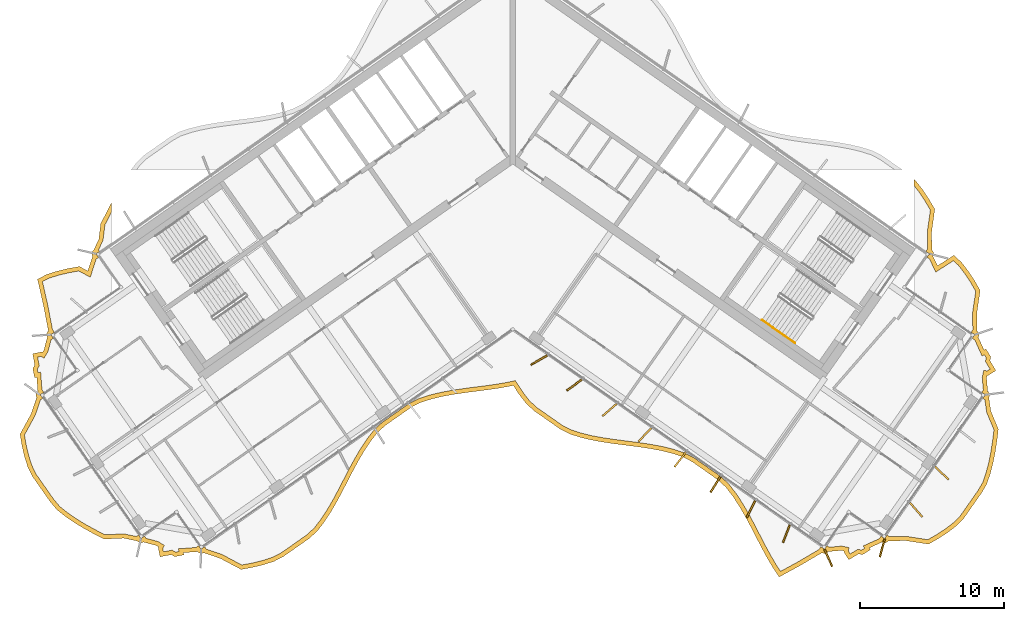
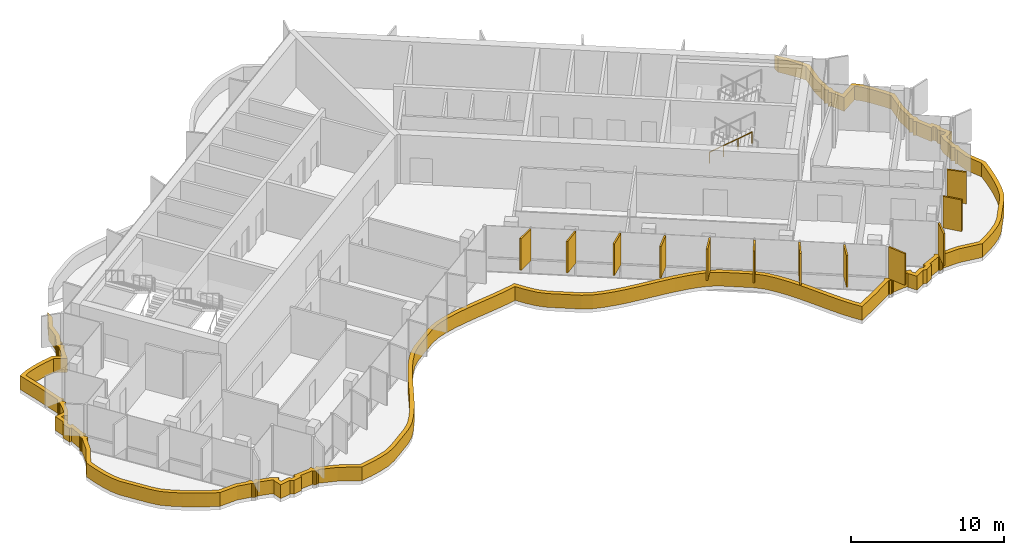
# One storey, part 18 of 20: 13 shading devices, 1 railing.
"""IFC4 building model written with IfcOpenShell, lengths in metres."""

import ifcopenshell
import ifcopenshell.guid

model = None  # the IFC model being written
_history = None  # IfcOwnerHistory: only IFC2X3 demands one
_inside = {}  # id of a spatial element -> (the spatial element, [elements in it])
_under = {}  # id of a project, library or spatial element -> (it, [spatial elements below it])
_declared = {}  # id of a project -> (the project, [libraries it declares])
_typed = {}  # id of a type object -> (the type object, [elements of that type])
_made_of = {}  # id of a material, layer set ... -> (it, [elements and type objects made of it])


def new_model(schema):
    """Start an empty IFC model of exactly this schema.

    Asked for "IFC4X3", IfcOpenShell would pick the latest addendum, in which some entities
    have other attributes; the version numbers below select the first issue.
    IFC2X3 requires an IfcOwnerHistory on every rooted entity: one is made here for all.
    """
    global model, _history
    if schema == "IFC4X3":
        model = ifcopenshell.file(schema_version=(4, 3, 0, 0))
    else:
        model = ifcopenshell.file(schema=schema)
    _inside.clear()
    _under.clear()
    _declared.clear()
    _typed.clear()
    _made_of.clear()
    _history = None
    if model.schema == "IFC2X3":
        org = make("IfcOrganization", Name="unknown")
        user = make(
            "IfcPersonAndOrganization",
            ThePerson=make("IfcPerson", FamilyName="unknown"),
            TheOrganization=org,
        )
        app = make(
            "IfcApplication",
            ApplicationDeveloper=org,
            Version="unknown",
            ApplicationFullName="unknown",
            ApplicationIdentifier="unknown",
        )
        _history = make(
            "IfcOwnerHistory",
            OwningUser=user,
            OwningApplication=app,
            ChangeAction="ADDED",
            CreationDate=0,
        )
    return model


def make(cls, **values):
    """One entity of the class cls with the attributes given. An attribute that is None is left unset."""
    return model.create_entity(
        cls, **{name: value for name, value in values.items() if value is not None}
    )


def rooted(cls, **values):
    """An entity with a GlobalId (a new one), such as an element, a storey or a relation."""
    return make(cls, GlobalId=ifcopenshell.guid.new(), OwnerHistory=_history, **values)


def si_unit(unit_type, name, prefix=None):
    """IfcSIUnit, for example si_unit("LENGTHUNIT", "METRE", prefix="MILLI")."""
    return make("IfcSIUnit", UnitType=unit_type, Prefix=prefix, Name=name)


def assignment(units):
    """IfcUnitAssignment: the units of a project."""
    return None if units is None else make("IfcUnitAssignment", Units=units)


def point(xyz):
    """IfcCartesianPoint."""
    return None if xyz is None else make("IfcCartesianPoint", Coordinates=xyz)


def direction(xyz):
    """IfcDirection."""
    return None if xyz is None else make("IfcDirection", DirectionRatios=xyz)


def frame(location, z_axis=None, x_axis=None):
    """IfcAxis2Placement3D, a coordinate frame: its origin and axes. An axis left out is left unset."""
    return make(
        "IfcAxis2Placement3D",
        Location=point(location),
        Axis=direction(z_axis),
        RefDirection=direction(x_axis),
    )


def frame_2d(location, x_axis=None):
    """IfcAxis2Placement2D, a coordinate frame in the plane: its origin and x axis."""
    return make(
        "IfcAxis2Placement2D", Location=point(location), RefDirection=direction(x_axis)
    )


def origin():
    """The frame at (0, 0, 0) with its axes left unset."""
    return frame((0.0, 0.0, 0.0))


def origin_2d():
    """The frame at (0, 0) in the plane with its x axis left unset."""
    return frame_2d((0.0, 0.0))


def place(relative_to, where):
    """IfcLocalPlacement: puts the frame where relative to a parent placement (None: the world)."""
    return make(
        "IfcLocalPlacement", PlacementRelTo=relative_to, RelativePlacement=where
    )


def context(
    kind, dimensions, precision=None, world=None, true_north=None, identifier=None
):
    """IfcGeometricRepresentationContext, for example the 3D "Model" context."""
    return make(
        "IfcGeometricRepresentationContext",
        ContextIdentifier=identifier,
        ContextType=kind,
        CoordinateSpaceDimension=dimensions,
        Precision=precision,
        WorldCoordinateSystem=world,
        TrueNorth=true_north,
    )


def subcontext(parent, identifier, kind, view, scale=None):
    """IfcGeometricRepresentationSubContext, for example "Body" below "Model"."""
    return make(
        "IfcGeometricRepresentationSubContext",
        ContextIdentifier=identifier,
        ContextType=kind,
        ParentContext=parent,
        TargetScale=scale,
        TargetView=view,
    )


def project(units=None, contexts=None):
    """IfcProject with its units and contexts."""
    return rooted(
        "IfcProject",
        Name="project",
        RepresentationContexts=contexts,
        UnitsInContext=assignment(units),
    )


def spatial(cls, under=None, at=None, **own):
    """A site, building, storey or space (cls), placed at a placement, below another one or the project."""
    s = rooted(cls, ObjectPlacement=at, **own)
    if under is not None:
        _under.setdefault(under.id(), (under, []))[1].append(s)
    return s


def polyline(points):
    """IfcPolyline through the points."""
    return make("IfcPolyline", Points=[point(p) for p in points])


def profile(cls, at=None, kind="AREA", **sizes):
    """A parametric profile (cls). Its sizes go by their IFC names, for example OverallWidth=200.0."""
    return make(cls, ProfileType=kind, Position=at, **sizes)


def rectangle(**sizes):
    """IfcRectangleProfileDef."""
    return profile("IfcRectangleProfileDef", **sizes)


def circle(**sizes):
    """IfcCircleProfileDef."""
    return profile("IfcCircleProfileDef", **sizes)


def outline(outer, holes=None, kind="AREA"):
    """IfcArbitraryClosedProfileDef: a profile drawn as a closed curve; with holes, ...WithVoids."""
    if holes is None:
        return make("IfcArbitraryClosedProfileDef", ProfileType=kind, OuterCurve=outer)
    return make(
        "IfcArbitraryProfileDefWithVoids",
        ProfileType=kind,
        OuterCurve=outer,
        InnerCurves=holes,
    )


def extrude(swept, where, along, depth):
    """IfcExtrudedAreaSolid: the profile swept, set in the frame where, extruded along a direction by depth."""
    return make(
        "IfcExtrudedAreaSolid",
        SweptArea=swept,
        Position=where,
        ExtrudedDirection=direction(along),
        Depth=depth,
    )


def shape(context_of_items, identifier, shape_type, items):
    """IfcShapeRepresentation: the items that make up one representation, for example the "Body"."""
    return make(
        "IfcShapeRepresentation",
        ContextOfItems=context_of_items,
        RepresentationIdentifier=identifier,
        RepresentationType=shape_type,
        Items=items,
    )


def material(Name=None, Category=None):
    """IfcMaterial."""
    return make("IfcMaterial", Name=Name, Category=Category)


def layer(
    of_material, thickness, ventilated=None, Name=None, Category=None, Priority=None
):
    """IfcMaterialLayer: one layer of a wall or slab, of a material (None: an air gap)."""
    return make(
        "IfcMaterialLayer",
        Material=of_material,
        LayerThickness=thickness,
        IsVentilated=ventilated,
        Name=Name,
        Category=Category,
        Priority=Priority,
    )


def layer_set(layers, Name=None):
    """IfcMaterialLayerSet."""
    return make("IfcMaterialLayerSet", MaterialLayers=layers, LayerSetName=Name)


def made_of(thing, what):
    """Note that an element or type object is made of a material, layer set ...; save() writes the relation."""
    if what is not None:
        _made_of.setdefault(what.id(), (what, []))[1].append(thing)
    return thing


def type_object(cls, material=None, **own):
    """A type object (cls), such as IfcWallType, which elements share."""
    return made_of(rooted(cls, **own), material)


def element(
    cls,
    number,
    at=None,
    inside=None,
    cuts=None,
    type_object=None,
    material=None,
    context=None,
    identifier="Body",
    shape_type=None,
    held_by="IfcProductDefinitionShape",
    body=None,
    shapes=None,
    **own,
):
    """One element of the class cls, such as IfcWall. Its Tag is "e" and its number.

    at: its placement. inside: the storey or other place that contains it. cuts: it is an
    opening in that element (IfcRelVoidsElement). A single representation is given by context,
    identifier, shape_type and body (its items); several are given by shapes. held_by: the class
    of the entity that holds the representations. save() writes the other relations.
    """
    e = rooted(cls, Tag="e%d" % number, ObjectPlacement=at, **own)
    if body is not None:
        shapes = [shape(context, identifier, shape_type, body)]
    if shapes is not None:
        e.Representation = make(held_by, Representations=shapes)
    if inside is not None:
        _inside.setdefault(inside.id(), (inside, []))[1].append(e)
    if cuts is not None:
        rooted(
            "IfcRelVoidsElement", RelatingBuildingElement=cuts, RelatedOpeningElement=e
        )
    if type_object is not None:
        _typed.setdefault(type_object.id(), (type_object, []))[1].append(e)
    return made_of(e, material)


def aggregate(whole, parts):
    """IfcRelAggregates: a whole, such as a stair, and the parts it consists of."""
    return rooted("IfcRelAggregates", RelatingObject=whole, RelatedObjects=parts)


def save(model, path):
    """Write the relations noted so far, then the file.

    IfcRelAggregates (storeys below a building ...), IfcRelContainedInSpatialStructure (elements
    in a storey), IfcRelDefinesByType, IfcRelAssociatesMaterial and IfcRelDeclares: one each for
    every whole, place, type object, material and project.
    """
    for whole, parts in _under.values():
        aggregate(whole, parts)
    for where, things in _inside.values():
        rooted(
            "IfcRelContainedInSpatialStructure",
            RelatedElements=things,
            RelatingStructure=where,
        )
    for kind, things in _typed.values():
        rooted("IfcRelDefinesByType", RelatedObjects=things, RelatingType=kind)
    for what, things in _made_of.values():
        rooted("IfcRelAssociatesMaterial", RelatedObjects=things, RelatingMaterial=what)
    for by, libraries in _declared.values():
        rooted("IfcRelDeclares", RelatingContext=by, RelatedDefinitions=libraries)
    model.write(path)


model = new_model("IFC4")

# Units and contexts
model_context = context("Model", 3, precision=1e-05, world=origin(), true_north=direction((0.0, 1.0)))
body_context = subcontext(model_context, "Body", "Model", "MODEL_VIEW")
ifc_project = project(units=[si_unit("LENGTHUNIT", "METRE"), si_unit("AREAUNIT", "SQUARE_METRE"), si_unit("VOLUMEUNIT", "CUBIC_METRE"), si_unit("PLANEANGLEUNIT", "RADIAN"), si_unit("MASSUNIT", "GRAM", prefix="KILO")], contexts=[model_context])

# Site, building, storey
site_placement = place(None, origin())
site = spatial("IfcSite", under=ifc_project, at=site_placement, CompositionType="ELEMENT")
building_placement = place(site_placement, origin())
building = spatial("IfcBuilding", under=site, at=building_placement, Name="Tel Ilan Convention Tower", CompositionType="ELEMENT")
storey_placement = place(building_placement, frame((0.0, 0.0, 237.10009765625)))
storey = spatial("IfcBuildingStorey", under=building, at=storey_placement, Name="L55", CompositionType="ELEMENT", Elevation=237.10009765625)

# Shading devices
ifc_material_1 = material(Name="Aluminium, bronze anodised", Category="aluminium")
ifc_layer_1 = layer(ifc_material_1, 0.1201171875)
ifc_layer_set_1 = layer_set([ifc_layer_1], Name="FIN BRONZE 1300x120")
shading_device_type_1 = type_object("IfcShadingDeviceType", Name="FIN BRONZE 1300x120", PredefinedType="USERDEFINED", material=ifc_layer_set_1)
for number, where, z_axis, x_axis, name in (
    (1, (1.830078125, -14.84912109375, 1.099853515625), (0.0, 0.0, 1.0), (-0.866025403784, -0.5, 0.0), "FIN"),
    (2, (4.2744140625, -16.583251953125, 1.099853515625), (0.0, 0.0, 1.0), (-0.813552070258, -0.581492071294, 0.0), "FIN"),
    (3, (6.723876953125, -18.3134765625, 1.099853515625), (0.0, 0.0, 1.0), (-0.753435896329, -0.657521368568, 0.0), "FIN"),
    (4, (9.177978515625, -20.039794921875, 1.099853515625), (0.0, 0.0, 1.0), (-0.686241637865, -0.727373641577, 0.0), "FIN"),
    (5, (11.636474609375, -21.761474609375, 1.099853515625), (0.0, 0.0, 1.0), (-0.612600545196, -0.790392669516, 0.0), "FIN"),
    (6, (14.09521484375, -23.483154296875, 1.099853515625), (0.0, 0.0, 1.0), (-0.533204432798, -0.845986425922, 0.0), "FIN"),
    (7, (16.553955078125, -25.20458984375, 1.099853515625), (0.0, 0.0, 1.0), (-0.448799180206, -0.893632640321, 0.0), "FIN"),
    (8, (19.015380859375, -26.920166015625, 1.099853515625), (0.0, 0.0, 1.0), (-0.360177724803, -0.932883704733, 0.0), "FIN"),
    (9, (21.930419921875, -28.595947265625, 1.099853515625), (0.0, 0.0, 1.0), (0.404964282034, -0.914332505315, 0.0), "FIN"),
    (10, (25.678955078125, -27.903564453125, 1.099853515625), (0.0, 0.0, 1.0), (-0.258819045103, -0.965925826289, 0.0), "FIN"),
    (11, (28.03125, -25.25048828125, 1.099853515625), (0.0, 0.0, 1.0), (0.657521368568, -0.753435896329, 0.0), "FIN"),
    (12, (29.8212890625, -22.705078125, 1.099853515625), (0.0, 0.0, 1.0), (0.727373641577, -0.686241637865, 0.0), "FIN"),
):
    element("IfcShadingDevice", number, at=place(storey_placement, frame(where, z_axis=z_axis, x_axis=x_axis)), inside=storey, type_object=shading_device_type_1, Name=name, ObjectType="FIN", PredefinedType="USERDEFINED", context=body_context, shape_type="SweptSolid", body=[
        extrude(rectangle(XDim=1.300048828125, YDim=0.1201171875, at=origin_2d()), origin(), (0.0, 0.0, 1.0), 2.52001953125),
    ])
ifc_material_2 = material(Name="Aluminium, bronze anodised", Category="aluminium")
ifc_layer_2 = layer(ifc_material_2, 0.300048828125)
ifc_layer_set_2 = layer_set([ifc_layer_2], Name="LOUVRE BAND 300x1100")
shading_device_type_2 = type_object("IfcShadingDeviceType", Name="LOUVRE BAND 300x1100", PredefinedType="USERDEFINED", material=ifc_layer_set_2)
shading_device_placement = place(storey_placement, origin())
element("IfcShadingDevice", 13, at=shading_device_placement, inside=storey, type_object=shading_device_type_2, Name="LOUVRE BAND 42.01", ObjectType="LOUVRE", PredefinedType="USERDEFINED", context=body_context, shape_type="SweptSolid", body=[
    extrude(outline(polyline([(-33.47021484375, -18.574462890625), (-34.248779296875, -19.995849609375), (-34.1181640625, -20.780517578125), (-33.940185546875, -21.531982421875), (-33.7158203125, -22.2509765625), (-33.401611328125, -22.906982421875), (-32.166748046875, -24.670654296875), (-31.707763671875, -25.22509765625), (-31.125732421875, -25.69384765625), (-30.49462890625, -26.1279296875), (-29.82373046875, -26.5341796875), (-29.12353515625, -26.920166015625), (-28.398193359375, -27.288330078125), (-27.05419921875, -27.223388671875), (-26.083984375, -27.420166015625), (-26.05517578125, -27.46337890625), (-25.957763671875, -27.5283203125), (-25.843017578125, -27.55126953125), (-25.728271484375, -27.5283203125), (-25.674072265625, -27.492431640625), (-24.7724609375, -27.73388671875), (-24.61669921875, -27.828857421875), (-24.64697265625, -27.878662109375), (-24.51416015625, -28.518310546875), (-23.728759765625, -28.3701171875), (-23.49462890625, -28.5126953125), (-22.855224609375, -28.3798828125), (-22.8828125, -28.233154296875), (-21.90576171875, -28.15673828125), (-21.876953125, -28.2001953125), (-21.779541015625, -28.26513671875), (-21.664794921875, -28.2880859375), (-21.550048828125, -28.26513671875), (-21.49609375, -28.22900390625), (-20.311279296875, -28.64013671875), (-18.883544921875, -29.3984375), (-18.087646484375, -29.25439453125), (-17.32080078125, -29.068359375), (-16.588623046875, -28.833251953125), (-15.931640625, -28.490478515625), (-14.12646484375, -27.226318359375), (-13.582763671875, -26.721923828125), (-13.1123046875, -26.113037109375), (-12.67626953125, -25.454833984375), (-12.267333984375, -24.7578125), (-11.877197265625, -24.033935546875), (-11.11572265625, -22.56005859375), (-10.724853515625, -21.83740234375), (-10.314697265625, -21.142333984375), (-9.877197265625, -20.486572265625), (-9.404541015625, -19.88037109375), (-8.85498046875, -19.384765625), (-7.049560546875, -18.12060546875), (-6.386474609375, -17.78662109375), (-5.65234375, -17.55419921875), (-4.884033203125, -17.370849609375), (-4.088623046875, -17.225830078125), (-3.274658203125, -17.107421875), (-1.629150390625, -16.895751953125), (-0.816650390625, -16.775146484375), (0.033203125, -16.6123046875), (0.470458984375, -17.269775390625), (0.94189453125, -17.877197265625), (1.488525390625, -18.377197265625), (3.2939453125, -19.641357421875), (3.953857421875, -19.979736328125), (4.68701171875, -20.213623046875), (5.45458984375, -20.398193359375), (6.24951171875, -20.5439453125), (7.06298828125, -20.6630859375), (8.70849609375, -20.87451171875), (9.521240234375, -20.99462890625), (10.314697265625, -21.142333984375), (11.080810546875, -21.329345703125), (11.811767578125, -21.56591796875), (12.4658203125, -21.912841796875), (14.27099609375, -23.177001953125), (14.811767578125, -23.685791015625), (15.28125, -24.29638671875), (15.71630859375, -24.95556640625), (16.12451171875, -25.653564453125), (16.51416015625, -26.3779296875), (17.27587890625, -27.851806640625), (17.6669921875, -28.573974609375), (18.077880859375, -29.26806640625), (18.5185546875, -29.91943359375), (19.969482421875, -29.128173828125), (21.49609375, -28.22900390625), (21.550048828125, -28.26513671875), (21.664794921875, -28.2880859375), (21.779541015625, -28.26513671875), (21.876953125, -28.2001953125), (21.90576171875, -28.15673828125), (22.8359375, -28.075439453125), (23.0146484375, -28.111328125), (23.003173828125, -28.168701171875), (23.3466796875, -28.72412109375), (24.0341796875, -28.316162109375), (24.302734375, -28.370361328125), (24.8583984375, -28.02685546875), (24.7822265625, -27.8984375), (25.674072265625, -27.492431640625), (25.728271484375, -27.5283203125), (25.843017578125, -27.55126953125), (25.957763671875, -27.5283203125), (26.05517578125, -27.46337890625), (26.083984375, -27.420166015625), (27.2958984375, -27.392578125), (28.897705078125, -27.637939453125), (29.59033203125, -27.246826171875), (30.235595703125, -26.82275390625), (30.83447265625, -26.365966796875), (31.343505859375, -25.846435546875), (32.578369140625, -24.082763671875), (32.942626953125, -23.461669921875), (33.183837890625, -22.75439453125), (33.376220703125, -22.012939453125), (33.5283203125, -21.243408203125), (33.6513671875, -20.45361328125), (33.749267578125, -19.64599609375), (33.228759765625, -18.405517578125), (33.081787109375, -17.426513671875), (33.11767578125, -17.372314453125), (33.140625, -17.257568359375), (33.11767578125, -17.142822265625), (33.052734375, -17.04541015625), (33.009521484375, -17.0166015625), (32.92822265625, -16.086669921875), (32.964111328125, -15.90771484375), (33.021240234375, -15.919189453125), (33.57666015625, -15.57568359375), (33.1689453125, -14.88818359375), (33.222900390625, -14.61962890625), (32.87939453125, -14.06396484375), (32.7509765625, -14.14013671875), (32.344970703125, -13.248291015625), (32.381103515625, -13.1943359375), (32.40380859375, -13.079345703125), (32.381103515625, -12.964599609375), (32.31591796875, -12.8671875), (32.272705078125, -12.83837890625), (32.248779296875, -11.6083984375), (32.485595703125, -10.006103515625), (32.0869140625, -9.3115234375), (31.6572265625, -8.661376953125), (31.194091796875, -8.05859375), (30.656494140625, -7.5625), (29.52001953125, -8.2939453125), (29.199951171875, -7.6279296875), (29.236083984375, -7.57373046875), (29.2587890625, -7.458984375), (29.236083984375, -7.34423828125), (29.1708984375, -7.246826171875), (29.127685546875, -7.218017578125), (29.10986328125, -5.95947265625), (29.331298828125, -4.35888671875), (28.922119140625, -3.659423828125), (28.48388671875, -3.001220703125), (28.0107421875, -2.392822265625), (27.874755859375, -2.269287109375), (27.874755859375, -2.70654296875), (28.240234375, -3.176513671875), (28.66748046875, -3.818359375), (29.02001953125, -4.420654296875), (28.809326171875, -5.941162109375), (28.829345703125, -7.12109375), (28.713134765625, -7.286865234375), (28.958740234375, -7.458984375), (28.787353515625, -7.705322265625), (28.9677734375, -7.83154296875), (29.395751953125, -8.730712890625), (30.62353515625, -7.9404296875), (30.971923828125, -8.26171875), (31.412841796875, -8.83544921875), (31.83154296875, -9.46923828125), (32.173583984375, -10.065185546875), (31.948486328125, -11.589599609375), (31.973876953125, -12.7421875), (31.858154296875, -12.9072265625), (32.103759765625, -13.079345703125), (31.932373046875, -13.32568359375), (32.110107421875, -13.449951171875), (32.615478515625, -14.5693359375), (32.779052734375, -14.472412109375), (32.905517578125, -14.676513671875), (32.85205078125, -14.942138671875), (33.16845703125, -15.475341796875), (32.964111328125, -15.6015625), (32.72900390625, -15.554443359375), (32.62548828125, -16.0703125), (32.703857421875, -16.9296875), (32.594970703125, -17.08544921875), (32.840576171875, -17.257568359375), (32.669189453125, -17.50390625), (32.80810546875, -17.60107421875), (32.937255859375, -18.486328125), (33.44189453125, -19.68896484375), (33.354248046875, -20.412353515625), (33.23291015625, -21.191162109375), (33.08349609375, -21.9462890625), (32.896240234375, -22.668212890625), (32.66845703125, -23.3359375), (32.32568359375, -23.920654296875), (31.112060546875, -25.654052734375), (30.63525390625, -26.140625), (30.06201171875, -26.577880859375), (29.43408203125, -26.99072265625), (28.840576171875, -27.32568359375), (27.31494140625, -27.091796875), (26.179931640625, -27.120849609375), (26.01513671875, -27.005615234375), (25.843017578125, -27.251220703125), (25.5966796875, -27.079833984375), (25.472412109375, -27.257568359375), (24.35302734375, -27.762939453125), (24.4501953125, -27.926513671875), (24.245849609375, -28.052734375), (23.980224609375, -27.99951171875), (23.447021484375, -28.31591796875), (23.32080078125, -28.111572265625), (23.367919921875, -27.87646484375), (22.85205078125, -27.772705078125), (21.99267578125, -27.851318359375), (21.8369140625, -27.7421875), (21.664794921875, -27.988037109375), (21.418701171875, -27.816650390625), (21.284423828125, -28.008056640625), (19.82177734375, -28.866943359375), (18.6142578125, -29.525634765625), (18.331298828125, -29.107666015625), (17.92822265625, -28.426025390625), (17.541015625, -27.71142578125), (16.779541015625, -26.238037109375), (16.38623046875, -25.506591796875), (15.97119140625, -24.797119140625), (15.525634765625, -24.1220703125), (15.034912109375, -23.48388671875), (14.4609375, -22.94384765625), (12.62255859375, -21.656494140625), (11.92919921875, -21.288818359375), (11.16259765625, -21.04052734375), (10.3779296875, -20.848876953125), (9.570556640625, -20.69873046875), (8.749755859375, -20.577392578125), (7.103759765625, -20.36572265625), (6.29833984375, -20.248046875), (5.516845703125, -20.1044921875), (4.767822265625, -19.924560546875), (4.068603515625, -19.701416015625), (3.44921875, -19.3837890625), (1.6767578125, -18.142822265625), (1.163330078125, -17.673095703125), (0.714111328125, -17.094482421875), (0.165771484375, -16.269775390625), (-0.087890625, -16.33349609375), (-0.866455078125, -16.479248046875), (-1.67041015625, -16.5986328125), (-3.315185546875, -16.81005859375), (-4.136962890625, -16.9296875), (-4.945556640625, -17.0771484375), (-5.732666015625, -17.264892578125), (-6.5, -17.5078125), (-7.203857421875, -17.8623046875), (-9.042236328125, -19.1494140625), (-9.625, -19.67529296875), (-10.12060546875, -20.310791015625), (-10.56884765625, -20.982666015625), (-10.986083984375, -21.68994140625), (-11.380859375, -22.419677734375), (-12.142578125, -23.89404296875), (-12.529052734375, -24.61083984375), (-12.930908203125, -25.2958984375), (-13.356201171875, -25.938232421875), (-13.804931640625, -26.518798828125), (-14.315185546875, -26.992431640625), (-16.087890625, -28.233642578125), (-16.704833984375, -28.555419921875), (-17.402099609375, -28.779541015625), (-18.149658203125, -28.960693359375), (-18.83447265625, -29.084716796875), (-20.19140625, -28.3642578125), (-21.302978515625, -27.981689453125), (-21.418701171875, -27.816650390625), (-21.664794921875, -27.988037109375), (-21.8369140625, -27.7421875), (-22.01513671875, -27.8671875), (-23.239990234375, -27.959228515625), (-23.20458984375, -28.14599609375), (-23.439697265625, -28.19482421875), (-23.671142578125, -28.053955078125), (-24.2802734375, -28.1689453125), (-24.3291015625, -27.933837890625), (-24.204345703125, -27.72900390625), (-24.65380859375, -27.455078125), (-25.48828125, -27.23486328125), (-25.5966796875, -27.079833984375), (-25.843017578125, -27.251220703125), (-26.01513671875, -27.005615234375), (-26.15478515625, -27.103271484375), (-27.03076171875, -26.921875), (-28.333251953125, -26.98486328125), (-28.983154296875, -26.65478515625), (-29.673583984375, -26.2744140625), (-30.331787109375, -25.8759765625), (-30.946533203125, -25.453125), (-31.495849609375, -25.010498046875), (-31.927978515625, -24.488525390625), (-33.141845703125, -22.755126953125), (-33.43603515625, -22.140869140625), (-33.650634765625, -21.45263671875), (-33.823974609375, -20.72119140625), (-33.935791015625, -20.048828125), (-33.1943359375, -18.6953125), (-32.833251953125, -17.61865234375), (-32.669189453125, -17.50390625), (-32.840576171875, -17.257568359375), (-32.594970703125, -17.08544921875), (-32.7197265625, -16.9072265625), (-32.811767578125, -15.6826171875), (-32.998779296875, -15.7177734375), (-33.047607421875, -15.482666015625), (-32.906494140625, -15.251220703125), (-33.021484375, -14.64208984375), (-32.786376953125, -14.59326171875), (-32.58154296875, -14.718017578125), (-32.3076171875, -14.268798828125), (-32.087646484375, -13.434326171875), (-31.932373046875, -13.32568359375), (-32.103759765625, -13.079345703125), (-31.858154296875, -12.9072265625), (-31.993408203125, -12.714111328125), (-32.314697265625, -11.033447265625), (-32.68798828125, -9.385986328125), (-32.26708984375, -9.168701171875), (-31.5771484375, -8.950439453125), (-30.838623046875, -8.77392578125), (-30.161376953125, -8.65625), (-29.363525390625, -9.087646484375), (-28.950439453125, -7.8193359375), (-28.787353515625, -7.705322265625), (-28.958740234375, -7.458984375), (-28.713134765625, -7.286865234375), (-28.785888671875, -7.182861328125), (-28.480224609375, -6.525634765625), (-28.343994140625, -5.44384765625), (-27.874755859375, -4.536376953125), (-27.874755859375, -3.881103515625), (-28.635009765625, -5.353271484375), (-28.772216796875, -6.441650390625), (-29.127685546875, -7.218017578125), (-29.1708984375, -7.246826171875), (-29.236083984375, -7.34423828125), (-29.2587890625, -7.458984375), (-29.236083984375, -7.57373046875), (-29.199951171875, -7.6279296875), (-29.537353515625, -8.652587890625), (-30.110107421875, -8.3427734375), (-30.899169921875, -8.47998046875), (-31.6572265625, -8.661376953125), (-32.3818359375, -8.890380859375), (-33.031982421875, -9.225830078125), (-32.6083984375, -11.094970703125), (-32.272705078125, -12.83837890625), (-32.31591796875, -12.8671875), (-32.381103515625, -12.964599609375), (-32.40380859375, -13.079345703125), (-32.381103515625, -13.1943359375), (-32.344970703125, -13.248291015625), (-32.586669921875, -14.14990234375), (-32.681640625, -14.3056640625), (-32.7314453125, -14.275390625), (-33.370849609375, -14.408203125), (-33.22265625, -15.193603515625), (-33.365478515625, -15.427734375), (-33.232666015625, -16.067138671875), (-33.0859375, -16.03955078125), (-33.009521484375, -17.0166015625), (-33.052734375, -17.04541015625), (-33.11767578125, -17.142822265625), (-33.140625, -17.257568359375), (-33.11767578125, -17.372314453125), (-33.081787109375, -17.426513671875), (-33.47021484375, -18.574462890625)])), origin(), (0.0, 0.0, 1.0), 1.099853515625),
])

# Railing
ifc_material_3 = material(Name="Stainless Steel Grade 316", Category="steel")
railing_type = type_object("IfcRailingType", Name="Stainless Steel Stair Handrail 900 mm", PredefinedType="HANDRAIL", material=ifc_material_3)
railing_placement = place(storey_placement, frame((17.312744140625, -12.0615234375, 2.127197265625)))
element("IfcRailing", 14, at=railing_placement, inside=storey, type_object=railing_type, Name="L55 S4 stair handrail 2", PredefinedType="HANDRAIL", context=body_context, shape_type="SweptSolid", body=[
    extrude(circle(Radius=0.02392578125, at=origin_2d()), frame((0.0, 0.0, 0.8759765625), z_axis=(0.692123088272, -0.484596665743, 0.534912798717), x_axis=(0.573550118428, 0.819170471667, 0.0)), (0.0, 0.0, 1.0), 3.31396484375),
    extrude(circle(Radius=0.02099609375, at=origin_2d()), origin(), (0.0, 0.0, 1.0), 0.851806640625),
    extrude(circle(Radius=0.02099609375, at=origin_2d()), frame((0.7646484375, -0.535400390625, 0.5908203125)), (0.0, 0.0, 1.0), 0.851806640625),
    extrude(circle(Radius=0.02099609375, at=origin_2d()), frame((1.529052734375, -1.070556640625, 1.181884765625)), (0.0, 0.0, 1.0), 0.851806640625),
    extrude(circle(Radius=0.02099609375, at=origin_2d()), frame((2.293701171875, -1.60595703125, 1.772705078125)), (0.0, 0.0, 1.0), 0.851806640625),
])

save(model, "model.ifc")
